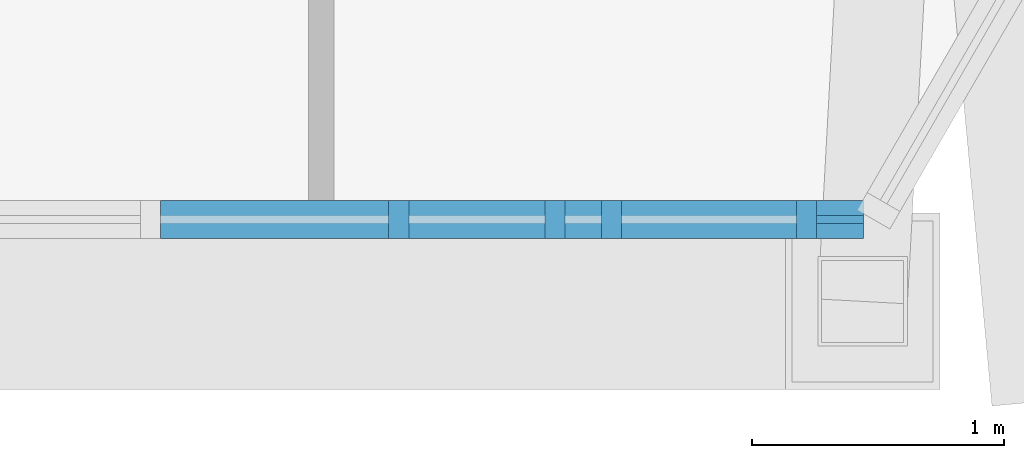
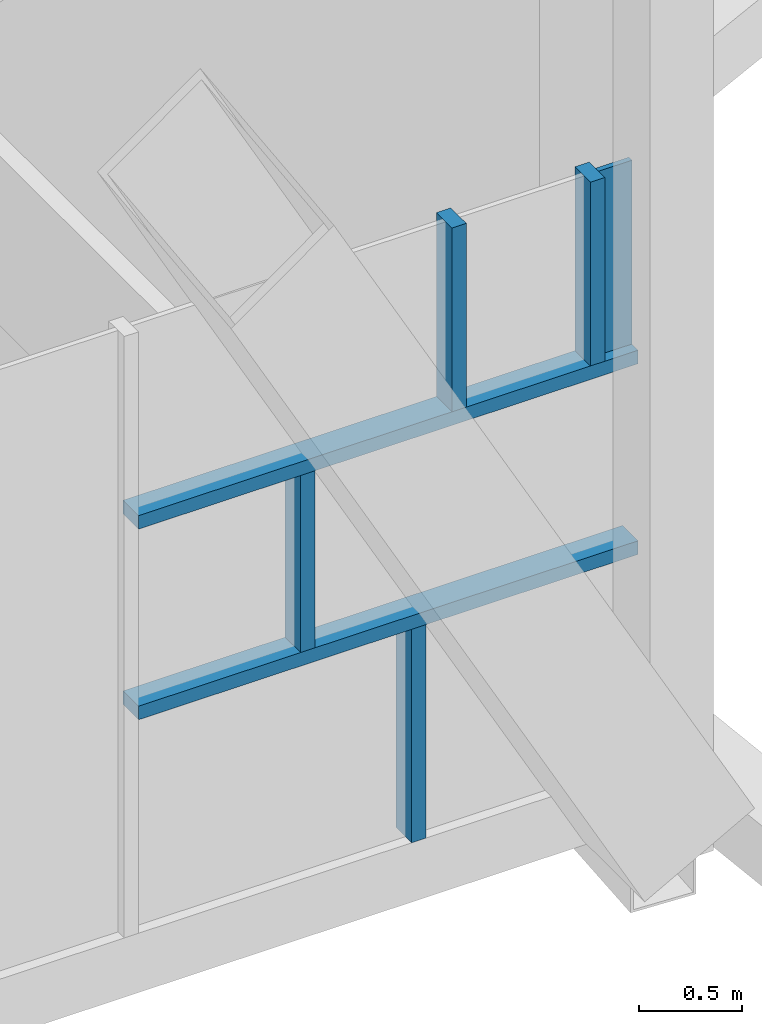
# One storey, part 7 of 23: 6 members, 1 plate, 2 openings, 1 element without a shape of its own.
"""IFC4 building model written with IfcOpenShell, lengths in metres."""

from ifc_helpers import new_model, si_unit, direction, frame, frame_2d, origin, origin_2d, place, context, subcontext, project, spatial, polyline, rectangle, outline, extrude, material, layer, layer_set, material_profile, profile_set, type_object, element, aggregate, save


model = new_model("IFC4")

# Units and contexts
model_context = context("Model", 3, precision=1e-05, world=origin(), true_north=direction((0.0, 1.0)))
body_context = subcontext(model_context, "Body", "Model", "MODEL_VIEW")
ifc_project = project(units=[si_unit("LENGTHUNIT", "METRE"), si_unit("AREAUNIT", "SQUARE_METRE"), si_unit("VOLUMEUNIT", "CUBIC_METRE"), si_unit("PLANEANGLEUNIT", "RADIAN"), si_unit("MASSUNIT", "GRAM", prefix="KILO")], contexts=[model_context])

# Site, building, storey
site_placement = place(None, origin())
site = spatial("IfcSite", under=ifc_project, at=site_placement, CompositionType="ELEMENT")
building_placement = place(site_placement, origin())
building = spatial("IfcBuilding", under=site, at=building_placement, Name="Firuza Gate Tower and Library", CompositionType="ELEMENT")
storey_placement = place(building_placement, frame((0.0, 0.0, 202.60009765625)))
storey = spatial("IfcBuildingStorey", under=building, at=storey_placement, Name="L47", CompositionType="ELEMENT", Elevation=202.60009765625)

# Curtain wall, openings, members, plate
ifc_material_1 = material(Name="Aluminium 6063-T6", Category="aluminium")
ifc_layer_1 = layer(ifc_material_1, 0.14990234375)
ifc_layer_set_1 = layer_set([ifc_layer_1], Name="Unitised curtain wall, hotel")
curtain_wall_type = type_object("IfcCurtainWallType", Name="Unitised curtain wall, hotel", PredefinedType="NOTDEFINED", material=ifc_layer_set_1)
curtain_wall_placement = place(storey_placement, origin())
curtain_wall = element("IfcCurtainWall", 1, at=curtain_wall_placement, inside=storey, type_object=curtain_wall_type, Name="CW2 L47 S face", PredefinedType="NOTDEFINED")
opening_1_placement = place(curtain_wall_placement, frame((52.0849609375, 55.88330078125, 0.14990234375), z_axis=(0.0, 0.0, 1.0), x_axis=(1.0, 0.0, 0.0)))
element("IfcOpeningElement", 2, at=opening_1_placement, cuts=curtain_wall, Name="Opening WD1-003", PredefinedType="OPENING", context=body_context, shape_type="SweptSolid", body=[
    extrude(rectangle(XDim=2.789306640625, YDim=3.550048828125, at=frame_2d((1.39453125, 1.77490234375))), frame((0.0, 0.0849609375, 0.0), z_axis=(0.0, -1.0, 0.0), x_axis=(1.0, 0.0, 0.0)), (0.0, 0.0, 1.0), 0.169921875),
])
opening_2_placement = place(curtain_wall_placement, frame((86.517578125, 55.88330078125, 0.14990234375), z_axis=(0.0, 0.0, 1.0), x_axis=(1.0, 0.0, 0.0)))
element("IfcOpeningElement", 3, at=opening_2_placement, cuts=curtain_wall, Name="Opening WD1-004", PredefinedType="OPENING", context=body_context, shape_type="SweptSolid", body=[
    extrude(rectangle(XDim=2.789306640625, YDim=3.550048828125, at=frame_2d((1.39453125, 1.77490234375))), frame((0.0, 0.0849609375, 0.0), z_axis=(0.0, -1.0, 0.0), x_axis=(1.0, 0.0, 0.0)), (0.0, 0.0, 1.0), 0.169921875),
])
ifc_material_2 = material(Name="Aluminium 6063-T6", Category="aluminium")
ifc_material_profile_1 = material_profile(ifc_material_2, rectangle(XDim=0.14990234375, YDim=0.080078125, at=origin_2d()))
ifc_profile_set_1 = profile_set([ifc_material_profile_1], Name="Aluminium 6063-T6")
member_type_1 = type_object("IfcMemberType", Name="Curtain wall mullion 80x150", PredefinedType="MULLION", material=ifc_profile_set_1)
member_1_placement = place(storey_placement, frame((99.559814453125, 55.88330078125, 0.14990234375), z_axis=(0.0, 0.0, 1.0), x_axis=(0.0, 1.0, 0.0)))
member_1 = element("IfcMember", 4, at=member_1_placement, type_object=member_type_1, Name="Mullion", PredefinedType="MULLION", context=body_context, shape_type="SweptSolid", body=[
    extrude(rectangle(XDim=0.14990234375, YDim=0.080078125, at=origin_2d()), origin(), (0.0, 0.0, 1.0), 1.260009765625),
])
member_2_placement = place(storey_placement, frame((98.940185546875, 55.88330078125, 1.489990234375), z_axis=(0.0, 0.0, 1.0), x_axis=(0.0, 1.0, 0.0)))
member_2 = element("IfcMember", 5, at=member_2_placement, type_object=member_type_1, Name="Mullion", PredefinedType="MULLION", context=body_context, shape_type="SweptSolid", body=[
    extrude(rectangle(XDim=0.14990234375, YDim=0.080078125, at=origin_2d()), origin(), (0.0, 0.0, 1.0), 1.044921875),
])
member_3_placement = place(storey_placement, frame((99.78515625, 55.88330078125, 2.614990234375), z_axis=(0.0, 0.0, 1.0), x_axis=(0.0, 1.0, 0.0)))
member_3 = element("IfcMember", 6, at=member_3_placement, type_object=member_type_1, Name="Mullion", PredefinedType="MULLION", context=body_context, shape_type="SweptSolid", body=[
    extrude(rectangle(XDim=0.14990234375, YDim=0.080078125, at=origin_2d()), origin(), (0.0, 0.0, 1.0), 1.0849609375),
])
member_4_placement = place(storey_placement, frame((100.558349609375, 55.88330078125, 2.614990234375), z_axis=(0.0, 0.0, 1.0), x_axis=(0.0, 1.0, 0.0)))
member_4 = element("IfcMember", 7, at=member_4_placement, type_object=member_type_1, Name="Mullion", PredefinedType="MULLION", context=body_context, shape_type="SweptSolid", body=[
    extrude(rectangle(XDim=0.14990234375, YDim=0.080078125, at=origin_2d()), origin(), (0.0, 0.0, 1.0), 1.0849609375),
])
ifc_material_3 = material(Name="Aluminium 6063-T6", Category="aluminium")
ifc_material_profile_2 = material_profile(ifc_material_3, rectangle(XDim=0.14990234375, YDim=0.080078125, at=origin_2d()))
ifc_profile_set_2 = profile_set([ifc_material_profile_2], Name="Aluminium 6063-T6")
member_type_2 = type_object("IfcMemberType", Name="Curtain wall transom 80x150", PredefinedType="USERDEFINED", material=ifc_profile_set_2)
member_5_placement = place(storey_placement, frame((97.9951171875, 55.88330078125, 1.449951171875), z_axis=(1.0, 0.0, 0.0), x_axis=(0.0, 1.0, 0.0)))
member_5 = element("IfcMember", 8, at=member_5_placement, type_object=member_type_2, Name="Transom", ObjectType="TRANSOM", PredefinedType="USERDEFINED", context=body_context, shape_type="SweptSolid", body=[
    extrude(rectangle(XDim=0.14990234375, YDim=0.080078125, at=origin_2d()), origin(), (0.0, 0.0, 1.0), 2.789306640625),
])
member_6_placement = place(storey_placement, frame((97.9951171875, 55.88330078125, 2.574951171875), z_axis=(1.0, 0.0, 0.0), x_axis=(0.0, 1.0, 0.0)))
member_6 = element("IfcMember", 9, at=member_6_placement, type_object=member_type_2, Name="Transom", ObjectType="TRANSOM", PredefinedType="USERDEFINED", context=body_context, shape_type="SweptSolid", body=[
    extrude(rectangle(XDim=0.14990234375, YDim=0.080078125, at=origin_2d()), origin(), (0.0, 0.0, 1.0), 2.789306640625),
])
ifc_material_4 = material(Name="Glazed ceramic tile")
ifc_layer_2 = layer(ifc_material_4, 0.030029296875)
ifc_layer_set_2 = layer_set([ifc_layer_2], Name="Opaque ceramic panel, hotel")
plate_type = type_object("IfcPlateType", Name="Opaque ceramic panel, hotel", PredefinedType="CURTAIN_PANEL", material=ifc_layer_set_2)
plate_placement = place(storey_placement, frame((100.598388671875, 55.868408203125, 2.614990234375), z_axis=(0.0, -1.0, 0.0), x_axis=(1.0, 0.0, 0.0)))
plate = element("IfcPlate", 10, at=plate_placement, type_object=plate_type, Name="Opaque ceramic panel", PredefinedType="CURTAIN_PANEL", context=body_context, shape_type="SweptSolid", body=[
    extrude(outline(polyline([(0.0, 0.0), (0.18603515625, 0.0), (0.18603515625, 1.0849609375), (0.0, 1.0849609375), (0.0, 0.0)])), origin(), (0.0, 0.0, -1.0), 0.030029296875),
])
aggregate(curtain_wall, [plate, member_1, member_2, member_3, member_4, member_5, member_6])

save(model, "model.ifc")
